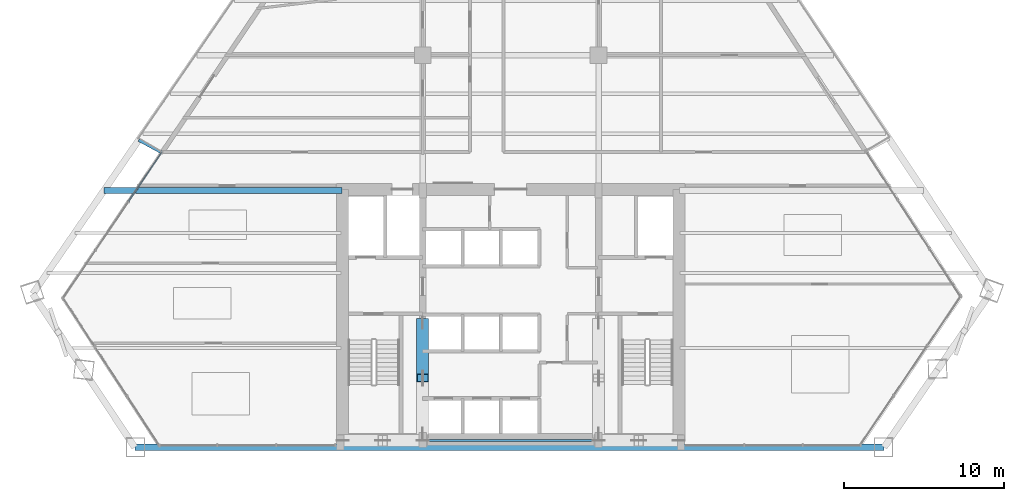
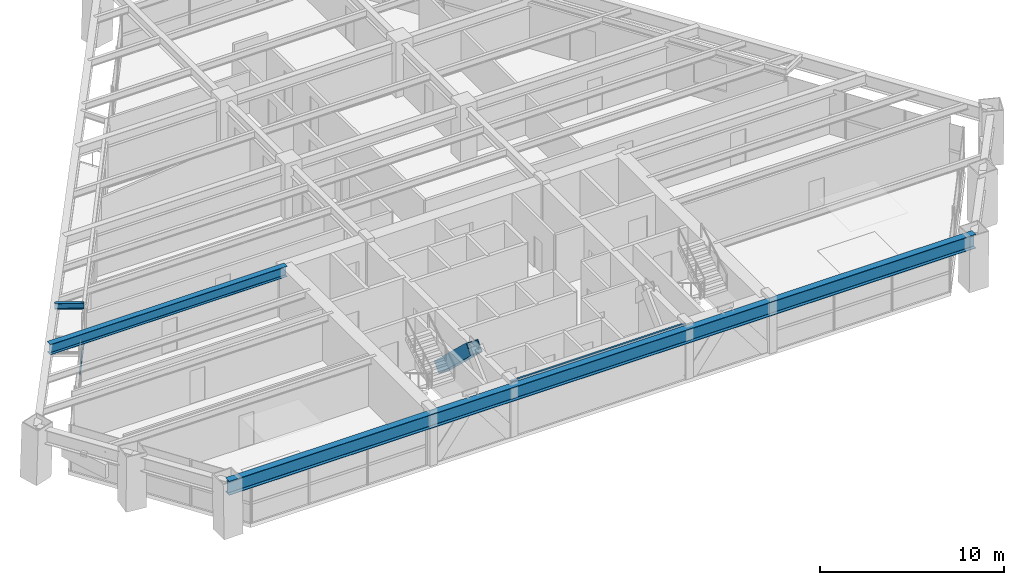
# One storey, part 3 of 14: 4 beams, 2 members, 1 element without a shape of its own.
"""IFC4 building model written with IfcOpenShell, lengths in metres."""

from ifc_helpers import new_model, si_unit, direction, frame, origin, origin_2d, place, context, subcontext, project, spatial, rectangle, hollow_rectangle, i_section, extrude, source, transform, mapped, material, material_profile, profile_set, type_object, type_shapes, element, aggregate, save


model = new_model("IFC4")

# Units and contexts
model_context = context("Model", 3, precision=1e-05, world=origin(), true_north=direction((0.0, 1.0)))
body_context = subcontext(model_context, "Body", "Model", "MODEL_VIEW")
ifc_project = project(units=[si_unit("LENGTHUNIT", "METRE"), si_unit("AREAUNIT", "SQUARE_METRE"), si_unit("VOLUMEUNIT", "CUBIC_METRE"), si_unit("PLANEANGLEUNIT", "RADIAN"), si_unit("MASSUNIT", "GRAM", prefix="KILO")], contexts=[model_context])

# Site, building, storey
site_placement = place(None, origin())
site = spatial("IfcSite", under=ifc_project, at=site_placement, CompositionType="ELEMENT")
building_placement = place(site_placement, origin())
building = spatial("IfcBuilding", under=site, at=building_placement, Name="Varnakhor Terracotta Tower", CompositionType="ELEMENT")
storey_placement = place(building_placement, frame((0.0, 0.0, 84.0)))
storey = spatial("IfcBuildingStorey", under=building, at=storey_placement, Name="L20", CompositionType="ELEMENT", Elevation=84.0)

# Beam
ifc_material_1 = material(Name="Steel S355", Category="steel")
ifc_material_profile_1 = material_profile(ifc_material_1, i_section(OverallWidth=0.1201171875, OverallDepth=0.239990234375, WebThickness=0.006103515625, FlangeThickness=0.009765625, FilletRadius=0.01806640625, at=origin_2d()), Name="IPE240")
ifc_profile_set_1 = profile_set([ifc_material_profile_1], Name="Steel S355")
beam_type_1 = type_object("IfcBeamType", Name="LNT-IPE240", PredefinedType="LINTEL", material=ifc_profile_set_1)
shared_shape_1 = source(origin(), body_context, "Body", "SweptSolid", [
    extrude(i_section(OverallWidth=0.1201171875, OverallDepth=0.239990234375, WebThickness=0.006103515625, FlangeThickness=0.009765625, FilletRadius=0.01806640625, at=origin_2d()), origin(), (0.0, 0.0, 1.0), 11.0),
])
type_shapes(beam_type_1, [shared_shape_1])
beam_1_placement = place(storey_placement, frame((-5.5, 0.419921875, 3.330078125), z_axis=(1.0, 0.0, 0.0), x_axis=(0.0, 1.0, 0.0)))
element("IfcBeam", 1, at=beam_1_placement, inside=storey, type_object=beam_type_1, Name="L20 Core South Coupling Lintel", PredefinedType="LINTEL", context=body_context, shape_type="MappedRepresentation", body=[
    mapped(shared_shape_1, transform((0.0, 0.0, 0.0), scale=1.0)),
])

# Member
ifc_material_2 = material(Name="Steel S460", Category="steel")
ifc_material_profile_2 = material_profile(ifc_material_2, hollow_rectangle(XDim=0.75, YDim=0.75, WallThickness=0.044921875, at=origin_2d()), Name="HSS750X750X45")
ifc_profile_set_2 = profile_set([ifc_material_profile_2], Name="Steel S460")
member_type_1 = type_object("IfcMemberType", Name="MBR-MEGA-750", PredefinedType="BRACE", material=ifc_profile_set_2)
shared_shape_2 = source(origin(), body_context, "Body", "SweptSolid", [
    extrude(hollow_rectangle(XDim=0.75, YDim=0.75, WallThickness=0.044921875, at=origin_2d()), origin(), (0.0, 0.0, 1.0), 4.792236328125),
])
member_1_placement = place(storey_placement, frame((-5.5, 7.800048828125, 0.0), z_axis=(0.0, -0.72513424341, 0.688607529028), x_axis=(1.0, 0.0, 0.0)))
element("IfcMember", 2, at=member_1_placement, inside=storey, type_object=member_type_1, Name="L20 Core Coupled Brace CWWB", PredefinedType="BRACE", context=body_context, shape_type="MappedRepresentation", body=[
    mapped(shared_shape_2, transform((0.0, 0.0, 0.0), scale=1.0)),
])

# Beams
ifc_material_profile_3 = material_profile(ifc_material_1, i_section(OverallWidth=0.41796875, OverallDepth=0.927001953125, WebThickness=0.01904296875, FlangeThickness=0.031982421875, FilletRadius=0.01806640625, at=origin_2d()), Name="W36X231")
ifc_profile_set_3 = profile_set([ifc_material_profile_3], Name="Steel S355")
beam_type_2 = type_object("IfcBeamType", Name="BM-W36X231", PredefinedType="BEAM", material=ifc_profile_set_3)
shared_shape_3 = source(origin(), body_context, "Body", "SweptSolid", [
    extrude(i_section(OverallWidth=0.41796875, OverallDepth=0.927001953125, WebThickness=0.01904296875, FlangeThickness=0.031982421875, FilletRadius=0.01806640625, at=origin_2d()), origin(), (0.0, 0.0, 1.0), 46.841552734375),
])
beam_2_placement = place(storey_placement, frame((-23.496337890625, 0.0, 2.986572265625), z_axis=(1.0, 0.0, 0.0), x_axis=(0.0, 1.0, 0.0)))
element("IfcBeam", 3, at=beam_2_placement, inside=storey, type_object=beam_type_2, Name="L20 Perimeter Spandrel 1", PredefinedType="BEAM", context=body_context, shape_type="MappedRepresentation", body=[
    mapped(shared_shape_3, transform((0.0, 0.0, 0.0), scale=1.0)),
])
ifc_material_profile_4 = material_profile(ifc_material_1, i_section(OverallWidth=0.35498046875, OverallDepth=0.695068359375, WebThickness=0.014892578125, FlangeThickness=0.02490234375, FilletRadius=0.01806640625, at=origin_2d()), Name="W27X146")
ifc_profile_set_4 = profile_set([ifc_material_profile_4], Name="Steel S355")
beam_type_3 = type_object("IfcBeamType", Name="BM-W27X146", PredefinedType="BEAM", material=ifc_profile_set_4)
shared_shape_4 = source(origin(), body_context, "Body", "SweptSolid", [
    extrude(i_section(OverallWidth=0.35498046875, OverallDepth=0.695068359375, WebThickness=0.014892578125, FlangeThickness=0.02490234375, FilletRadius=0.01806640625, at=origin_2d()), origin(), (0.0, 0.0, 1.0), 14.87060546875),
])
beam_3_placement = place(storey_placement, frame((-25.420654296875, 16.050048828125, 3.1025390625), z_axis=(1.0, 0.0, 0.0), x_axis=(0.0, 1.0, 0.0)))
element("IfcBeam", 4, at=beam_3_placement, inside=storey, type_object=beam_type_3, Name="L20 Wing Girder W", PredefinedType="BEAM", context=body_context, shape_type="MappedRepresentation", body=[
    mapped(shared_shape_4, transform((0.0, 0.0, 0.0), scale=1.0)),
])

# Curtain wall, member
ifc_material_3 = material(Name="Anodised Aluminium Curtain Wall System", Category="aluminium")
curtain_wall_type = type_object("IfcCurtainWallType", Name="CW-SYS-LOW-OFFICE", PredefinedType="NOTDEFINED", material=ifc_material_3)
curtain_wall_placement = place(storey_placement, origin())
curtain_wall = element("IfcCurtainWall", 5, at=curtain_wall_placement, inside=storey, type_object=curtain_wall_type, Name="L20 W Facet Curtain Wall 1", PredefinedType="NOTDEFINED")
ifc_material_4 = material(Name="Anodised Aluminium 6063-T6", Category="aluminium")
ifc_material_profile_5 = material_profile(ifc_material_4, rectangle(XDim=0.074951171875, YDim=0.1650390625, at=origin_2d()), Name="ALU TRANSOM 75x165")
ifc_profile_set_5 = profile_set([ifc_material_profile_5], Name="Anodised Aluminium 6063-T6")
member_type_2 = type_object("IfcMemberType", Name="CWT-02", PredefinedType="USERDEFINED", material=ifc_profile_set_5)
shared_shape_5 = source(origin(), body_context, "Body", "SweptSolid", [
    extrude(rectangle(XDim=0.074951171875, YDim=0.1650390625, at=origin_2d()), origin(), (0.0, 0.0, 1.0), 3.677978515625),
])
member_2_placement = place(storey_placement, frame((-23.87353515625, 15.378662109375, 1.272705078125), z_axis=(0.559912837414, 0.828551515899, 0.0), x_axis=(-0.828551515899, 0.559912837414, 0.0)))
member_2 = element("IfcMember", 6, at=member_2_placement, type_object=member_type_2, Name="L20 W Facet Curtain Wall 1 Transom 3", ObjectType="TRANSOM", PredefinedType="USERDEFINED", context=body_context, shape_type="MappedRepresentation", body=[
    mapped(shared_shape_5, transform((0.0, 0.0, 0.0), scale=1.0)),
])
aggregate(curtain_wall, [member_2])

# Beam
ifc_material_profile_6 = material_profile(ifc_material_1, i_section(OverallWidth=0.179931640625, OverallDepth=0.39990234375, WebThickness=0.008544921875, FlangeThickness=0.013427734375, FilletRadius=0.01806640625, at=origin_2d()), Name="IPE400")
ifc_profile_set_6 = profile_set([ifc_material_profile_6], Name="Steel S355")
beam_type_4 = type_object("IfcBeamType", Name="JST-IPE400", PredefinedType="JOIST", material=ifc_profile_set_6)
shared_shape_6 = source(origin(), body_context, "Body", "SweptSolid", [
    extrude(i_section(OverallWidth=0.179931640625, OverallDepth=0.39990234375, WebThickness=0.008544921875, FlangeThickness=0.013427734375, FilletRadius=0.01806640625, at=origin_2d()), origin(), (0.0, 0.0, 1.0), 1.60986328125),
])
beam_4_placement = place(storey_placement, frame((-21.8330078125, 18.4375, 3.25), z_axis=(-0.879490374559, 0.47591667449, 0.0), x_axis=(-0.47591667449, -0.879490374559, 0.0)))
element("IfcBeam", 7, at=beam_4_placement, inside=storey, type_object=beam_type_4, Name="L21 W Loggia Tie Beam 1", PredefinedType="JOIST", context=body_context, shape_type="MappedRepresentation", body=[
    mapped(shared_shape_6, transform((0.0, 0.0, 0.0), scale=1.0)),
])

save(model, "model.ifc")
